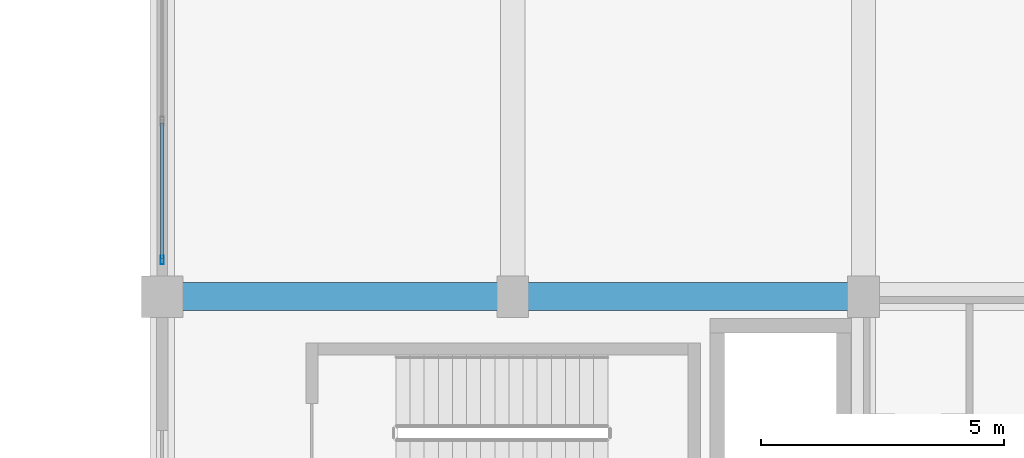
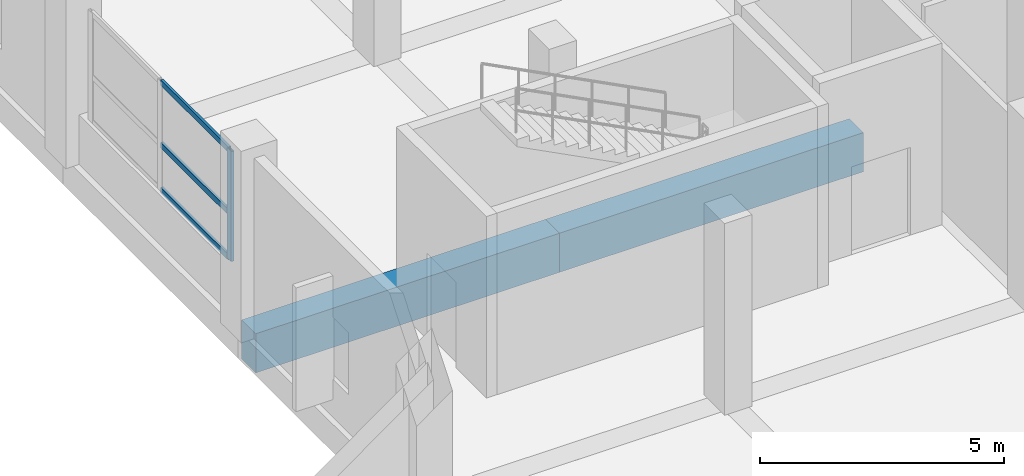
# One storey, part 100 of 181: 4 members, 2 beams, 1 element without a shape of its own.
"""IFC4 building model written with IfcOpenShell, lengths in metres."""

import ifcopenshell
import ifcopenshell.guid

model = None  # the IFC model being written
_history = None  # IfcOwnerHistory: only IFC2X3 demands one
_inside = {}  # id of a spatial element -> (the spatial element, [elements in it])
_under = {}  # id of a project, library or spatial element -> (it, [spatial elements below it])
_declared = {}  # id of a project -> (the project, [libraries it declares])
_typed = {}  # id of a type object -> (the type object, [elements of that type])
_made_of = {}  # id of a material, layer set ... -> (it, [elements and type objects made of it])


def new_model(schema):
    """Start an empty IFC model of exactly this schema.

    Asked for "IFC4X3", IfcOpenShell would pick the latest addendum, in which some entities
    have other attributes; the version numbers below select the first issue.
    IFC2X3 requires an IfcOwnerHistory on every rooted entity: one is made here for all.
    """
    global model, _history
    if schema == "IFC4X3":
        model = ifcopenshell.file(schema_version=(4, 3, 0, 0))
    else:
        model = ifcopenshell.file(schema=schema)
    _inside.clear()
    _under.clear()
    _declared.clear()
    _typed.clear()
    _made_of.clear()
    _history = None
    if model.schema == "IFC2X3":
        org = make("IfcOrganization", Name="unknown")
        user = make(
            "IfcPersonAndOrganization",
            ThePerson=make("IfcPerson", FamilyName="unknown"),
            TheOrganization=org,
        )
        app = make(
            "IfcApplication",
            ApplicationDeveloper=org,
            Version="unknown",
            ApplicationFullName="unknown",
            ApplicationIdentifier="unknown",
        )
        _history = make(
            "IfcOwnerHistory",
            OwningUser=user,
            OwningApplication=app,
            ChangeAction="ADDED",
            CreationDate=0,
        )
    return model


def make(cls, **values):
    """One entity of the class cls with the attributes given. An attribute that is None is left unset."""
    return model.create_entity(
        cls, **{name: value for name, value in values.items() if value is not None}
    )


def rooted(cls, **values):
    """An entity with a GlobalId (a new one), such as an element, a storey or a relation."""
    return make(cls, GlobalId=ifcopenshell.guid.new(), OwnerHistory=_history, **values)


def si_unit(unit_type, name, prefix=None):
    """IfcSIUnit, for example si_unit("LENGTHUNIT", "METRE", prefix="MILLI")."""
    return make("IfcSIUnit", UnitType=unit_type, Prefix=prefix, Name=name)


def assignment(units):
    """IfcUnitAssignment: the units of a project."""
    return None if units is None else make("IfcUnitAssignment", Units=units)


def point(xyz):
    """IfcCartesianPoint."""
    return None if xyz is None else make("IfcCartesianPoint", Coordinates=xyz)


def direction(xyz):
    """IfcDirection."""
    return None if xyz is None else make("IfcDirection", DirectionRatios=xyz)


def frame(location, z_axis=None, x_axis=None):
    """IfcAxis2Placement3D, a coordinate frame: its origin and axes. An axis left out is left unset."""
    return make(
        "IfcAxis2Placement3D",
        Location=point(location),
        Axis=direction(z_axis),
        RefDirection=direction(x_axis),
    )


def frame_2d(location, x_axis=None):
    """IfcAxis2Placement2D, a coordinate frame in the plane: its origin and x axis."""
    return make(
        "IfcAxis2Placement2D", Location=point(location), RefDirection=direction(x_axis)
    )


def origin():
    """The frame at (0, 0, 0) with its axes left unset."""
    return frame((0.0, 0.0, 0.0))


def origin_2d():
    """The frame at (0, 0) in the plane with its x axis left unset."""
    return frame_2d((0.0, 0.0))


def place(relative_to, where):
    """IfcLocalPlacement: puts the frame where relative to a parent placement (None: the world)."""
    return make(
        "IfcLocalPlacement", PlacementRelTo=relative_to, RelativePlacement=where
    )


def context(
    kind, dimensions, precision=None, world=None, true_north=None, identifier=None
):
    """IfcGeometricRepresentationContext, for example the 3D "Model" context."""
    return make(
        "IfcGeometricRepresentationContext",
        ContextIdentifier=identifier,
        ContextType=kind,
        CoordinateSpaceDimension=dimensions,
        Precision=precision,
        WorldCoordinateSystem=world,
        TrueNorth=true_north,
    )


def subcontext(parent, identifier, kind, view, scale=None):
    """IfcGeometricRepresentationSubContext, for example "Body" below "Model"."""
    return make(
        "IfcGeometricRepresentationSubContext",
        ContextIdentifier=identifier,
        ContextType=kind,
        ParentContext=parent,
        TargetScale=scale,
        TargetView=view,
    )


def project(units=None, contexts=None):
    """IfcProject with its units and contexts."""
    return rooted(
        "IfcProject",
        Name="project",
        RepresentationContexts=contexts,
        UnitsInContext=assignment(units),
    )


def spatial(cls, under=None, at=None, **own):
    """A site, building, storey or space (cls), placed at a placement, below another one or the project."""
    s = rooted(cls, ObjectPlacement=at, **own)
    if under is not None:
        _under.setdefault(under.id(), (under, []))[1].append(s)
    return s


def profile(cls, at=None, kind="AREA", **sizes):
    """A parametric profile (cls). Its sizes go by their IFC names, for example OverallWidth=200.0."""
    return make(cls, ProfileType=kind, Position=at, **sizes)


def rectangle(**sizes):
    """IfcRectangleProfileDef."""
    return profile("IfcRectangleProfileDef", **sizes)


def hollow_rectangle(**sizes):
    """IfcRectangleHollowProfileDef."""
    return profile("IfcRectangleHollowProfileDef", **sizes)


def extrude(swept, where, along, depth):
    """IfcExtrudedAreaSolid: the profile swept, set in the frame where, extruded along a direction by depth."""
    return make(
        "IfcExtrudedAreaSolid",
        SweptArea=swept,
        Position=where,
        ExtrudedDirection=direction(along),
        Depth=depth,
    )


def shape(context_of_items, identifier, shape_type, items):
    """IfcShapeRepresentation: the items that make up one representation, for example the "Body"."""
    return make(
        "IfcShapeRepresentation",
        ContextOfItems=context_of_items,
        RepresentationIdentifier=identifier,
        RepresentationType=shape_type,
        Items=items,
    )


def material(Name=None, Category=None):
    """IfcMaterial."""
    return make("IfcMaterial", Name=Name, Category=Category)


def layer(
    of_material, thickness, ventilated=None, Name=None, Category=None, Priority=None
):
    """IfcMaterialLayer: one layer of a wall or slab, of a material (None: an air gap)."""
    return make(
        "IfcMaterialLayer",
        Material=of_material,
        LayerThickness=thickness,
        IsVentilated=ventilated,
        Name=Name,
        Category=Category,
        Priority=Priority,
    )


def layer_set(layers, Name=None):
    """IfcMaterialLayerSet."""
    return make("IfcMaterialLayerSet", MaterialLayers=layers, LayerSetName=Name)


def material_profile(
    of_material, cross_section, Name=None, Category=None, Priority=None
):
    """IfcMaterialProfile: a cross section and its material."""
    return make(
        "IfcMaterialProfile",
        Name=Name,
        Material=of_material,
        Profile=cross_section,
        Priority=Priority,
        Category=Category,
    )


def profile_set(profiles, Name=None, composite=None):
    """IfcMaterialProfileSet."""
    return make(
        "IfcMaterialProfileSet",
        Name=Name,
        MaterialProfiles=profiles,
        CompositeProfile=composite,
    )


def made_of(thing, what):
    """Note that an element or type object is made of a material, layer set ...; save() writes the relation."""
    if what is not None:
        _made_of.setdefault(what.id(), (what, []))[1].append(thing)
    return thing


def type_object(cls, material=None, **own):
    """A type object (cls), such as IfcWallType, which elements share."""
    return made_of(rooted(cls, **own), material)


def element(
    cls,
    number,
    at=None,
    inside=None,
    cuts=None,
    type_object=None,
    material=None,
    context=None,
    identifier="Body",
    shape_type=None,
    held_by="IfcProductDefinitionShape",
    body=None,
    shapes=None,
    **own,
):
    """One element of the class cls, such as IfcWall. Its Tag is "e" and its number.

    at: its placement. inside: the storey or other place that contains it. cuts: it is an
    opening in that element (IfcRelVoidsElement). A single representation is given by context,
    identifier, shape_type and body (its items); several are given by shapes. held_by: the class
    of the entity that holds the representations. save() writes the other relations.
    """
    e = rooted(cls, Tag="e%d" % number, ObjectPlacement=at, **own)
    if body is not None:
        shapes = [shape(context, identifier, shape_type, body)]
    if shapes is not None:
        e.Representation = make(held_by, Representations=shapes)
    if inside is not None:
        _inside.setdefault(inside.id(), (inside, []))[1].append(e)
    if cuts is not None:
        rooted(
            "IfcRelVoidsElement", RelatingBuildingElement=cuts, RelatedOpeningElement=e
        )
    if type_object is not None:
        _typed.setdefault(type_object.id(), (type_object, []))[1].append(e)
    return made_of(e, material)


def aggregate(whole, parts):
    """IfcRelAggregates: a whole, such as a stair, and the parts it consists of."""
    return rooted("IfcRelAggregates", RelatingObject=whole, RelatedObjects=parts)


def save(model, path):
    """Write the relations noted so far, then the file.

    IfcRelAggregates (storeys below a building ...), IfcRelContainedInSpatialStructure (elements
    in a storey), IfcRelDefinesByType, IfcRelAssociatesMaterial and IfcRelDeclares: one each for
    every whole, place, type object, material and project.
    """
    for whole, parts in _under.values():
        aggregate(whole, parts)
    for where, things in _inside.values():
        rooted(
            "IfcRelContainedInSpatialStructure",
            RelatedElements=things,
            RelatingStructure=where,
        )
    for kind, things in _typed.values():
        rooted("IfcRelDefinesByType", RelatedObjects=things, RelatingType=kind)
    for what, things in _made_of.values():
        rooted("IfcRelAssociatesMaterial", RelatedObjects=things, RelatingMaterial=what)
    for by, libraries in _declared.values():
        rooted("IfcRelDeclares", RelatingContext=by, RelatedDefinitions=libraries)
    model.write(path)


model = new_model("IFC4")

# Units and contexts
model_context = context("Model", 3, precision=1e-05, world=origin(), true_north=direction((0.0, 1.0)))
body_context = subcontext(model_context, "Body", "Model", "MODEL_VIEW")
ifc_project = project(units=[si_unit("LENGTHUNIT", "METRE"), si_unit("AREAUNIT", "SQUARE_METRE"), si_unit("VOLUMEUNIT", "CUBIC_METRE"), si_unit("PLANEANGLEUNIT", "RADIAN"), si_unit("MASSUNIT", "GRAM", prefix="KILO")], contexts=[model_context])

# Site, building, storey
site_placement = place(None, origin())
site = spatial("IfcSite", under=ifc_project, at=site_placement, CompositionType="ELEMENT")
building_placement = place(site_placement, origin())
building = spatial("IfcBuilding", under=site, at=building_placement, Name="Seraya Terrace Polytechnic", CompositionType="ELEMENT")
storey_placement = place(building_placement, frame((0.0, 0.0, 4.800048828125)))
storey = spatial("IfcBuildingStorey", under=building, at=storey_placement, Name="L01", CompositionType="ELEMENT", Elevation=4.800048828125)

# Beams
ifc_material_1 = material(Name="Concrete C40/50", Category="concrete")
ifc_material_profile_1 = material_profile(ifc_material_1, rectangle(XDim=0.580078125, YDim=0.97998046875, at=origin_2d()), Name="RC 580x980")
ifc_profile_set_1 = profile_set([ifc_material_profile_1], Name="Concrete C40/50")
beam_type = type_object("IfcBeamType", Name="BM-02", PredefinedType="BEAM", material=ifc_profile_set_1)
beam_1_placement = place(storey_placement, frame((115.199951171875, 93.60009765625, -0.489990234375), z_axis=(1.0, 0.0, 0.0), x_axis=(0.0, 1.0, 0.0)))
element("IfcBeam", 1, at=beam_1_placement, inside=storey, type_object=beam_type, Name="Beam BM-02 L01 X (115.2..122.4, 93.6)", PredefinedType="BEAM", context=body_context, shape_type="SweptSolid", body=[
    extrude(rectangle(XDim=0.580078125, YDim=0.97998046875, at=origin_2d()), origin(), (0.0, 0.0, 1.0), 7.199951171875),
])
beam_2_placement = place(storey_placement, frame((122.39990234375, 93.60009765625, -0.489990234375), z_axis=(1.0, 0.0, 0.0), x_axis=(0.0, 1.0, 0.0)))
element("IfcBeam", 2, at=beam_2_placement, inside=storey, type_object=beam_type, Name="Beam BM-02 L01 X (122.4..129.6, 93.6)", PredefinedType="BEAM", context=body_context, shape_type="SweptSolid", body=[
    extrude(rectangle(XDim=0.580078125, YDim=0.97998046875, at=origin_2d()), origin(), (0.0, 0.0, 1.0), 7.2001953125),
])

# Curtain wall, members
ifc_material_2 = material(Name="Anodised aluminium EN AW-6063 T6", Category="aluminium")
ifc_layer = layer(ifc_material_2, 0.179931640625, Name="CW-16")
ifc_layer_set = layer_set([ifc_layer], Name="Anodised aluminium EN AW-6063 T6")
curtain_wall_type = type_object("IfcCurtainWallType", Name="CW-16", PredefinedType="NOTDEFINED", material=ifc_layer_set)
curtain_wall_placement = place(storey_placement, origin())
curtain_wall = element("IfcCurtainWall", 3, at=curtain_wall_placement, inside=storey, type_object=curtain_wall_type, Name="Unitised curtain wall CW-16 (CW-L01-016)", PredefinedType="NOTDEFINED")
ifc_material_profile_2 = material_profile(ifc_material_2, hollow_rectangle(XDim=0.06494140625, YDim=0.179931640625, WallThickness=0.00390625, at=origin_2d()), Name="RHS 180x65x4.0")
ifc_profile_set_2 = profile_set([ifc_material_profile_2], Name="Anodised aluminium EN AW-6063 T6")
member_type_1 = type_object("IfcMemberType", Name="CWM-01", PredefinedType="MULLION", material=ifc_profile_set_2)
member_1_placement = place(storey_placement, frame((115.199951171875, 94.3525390625, 1.239990234375), z_axis=(0.0, 0.0, 1.0), x_axis=(-1.0, 0.0, 0.0)))
member_1 = element("IfcMember", 4, at=member_1_placement, type_object=member_type_1, Name="CW-16 mullion 1", PredefinedType="MULLION", context=body_context, shape_type="SweptSolid", body=[
    extrude(hollow_rectangle(XDim=0.06494140625, YDim=0.179931640625, WallThickness=0.00390625, at=origin_2d()), origin(), (0.0, 0.0, 1.0), 2.760009765625),
])
ifc_material_profile_3 = material_profile(ifc_material_2, hollow_rectangle(XDim=0.06005859375, YDim=0.139892578125, WallThickness=0.00341796875, at=origin_2d()), Name="RHS 140x60x3.5")
ifc_profile_set_3 = profile_set([ifc_material_profile_3], Name="Anodised aluminium EN AW-6063 T6")
member_type_2 = type_object("IfcMemberType", Name="CWT-01", PredefinedType="USERDEFINED", material=ifc_profile_set_3)
member_2_placement = place(storey_placement, frame((115.199951171875, 94.385009765625, 1.27001953125), z_axis=(0.0, 1.0, 0.0), x_axis=(-1.0, 0.0, 0.0)))
member_2 = element("IfcMember", 5, at=member_2_placement, type_object=member_type_2, Name="CW-16 transom 1.1", ObjectType="TRANSOM", PredefinedType="USERDEFINED", context=body_context, shape_type="SweptSolid", body=[
    extrude(hollow_rectangle(XDim=0.06005859375, YDim=0.139892578125, WallThickness=0.00341796875, at=origin_2d()), origin(), (0.0, 0.0, 1.0), 2.782470703125),
])
member_3_placement = place(storey_placement, frame((115.199951171875, 94.385009765625, 2.399169921875), z_axis=(0.0, 1.0, 0.0), x_axis=(-1.0, 0.0, 0.0)))
member_3 = element("IfcMember", 6, at=member_3_placement, type_object=member_type_2, Name="CW-16 transom 1.2", ObjectType="TRANSOM", PredefinedType="USERDEFINED", context=body_context, shape_type="SweptSolid", body=[
    extrude(hollow_rectangle(XDim=0.06005859375, YDim=0.139892578125, WallThickness=0.00341796875, at=origin_2d()), origin(), (0.0, 0.0, 1.0), 2.782470703125),
])
member_4_placement = place(storey_placement, frame((115.199951171875, 94.385009765625, 3.969970703125), z_axis=(0.0, 1.0, 0.0), x_axis=(-1.0, 0.0, 0.0)))
member_4 = element("IfcMember", 7, at=member_4_placement, type_object=member_type_2, Name="CW-16 transom 1.3", ObjectType="TRANSOM", PredefinedType="USERDEFINED", context=body_context, shape_type="SweptSolid", body=[
    extrude(hollow_rectangle(XDim=0.06005859375, YDim=0.139892578125, WallThickness=0.00341796875, at=origin_2d()), origin(), (0.0, 0.0, 1.0), 2.782470703125),
])
aggregate(curtain_wall, [member_1, member_2, member_3, member_4])

save(model, "model.ifc")
